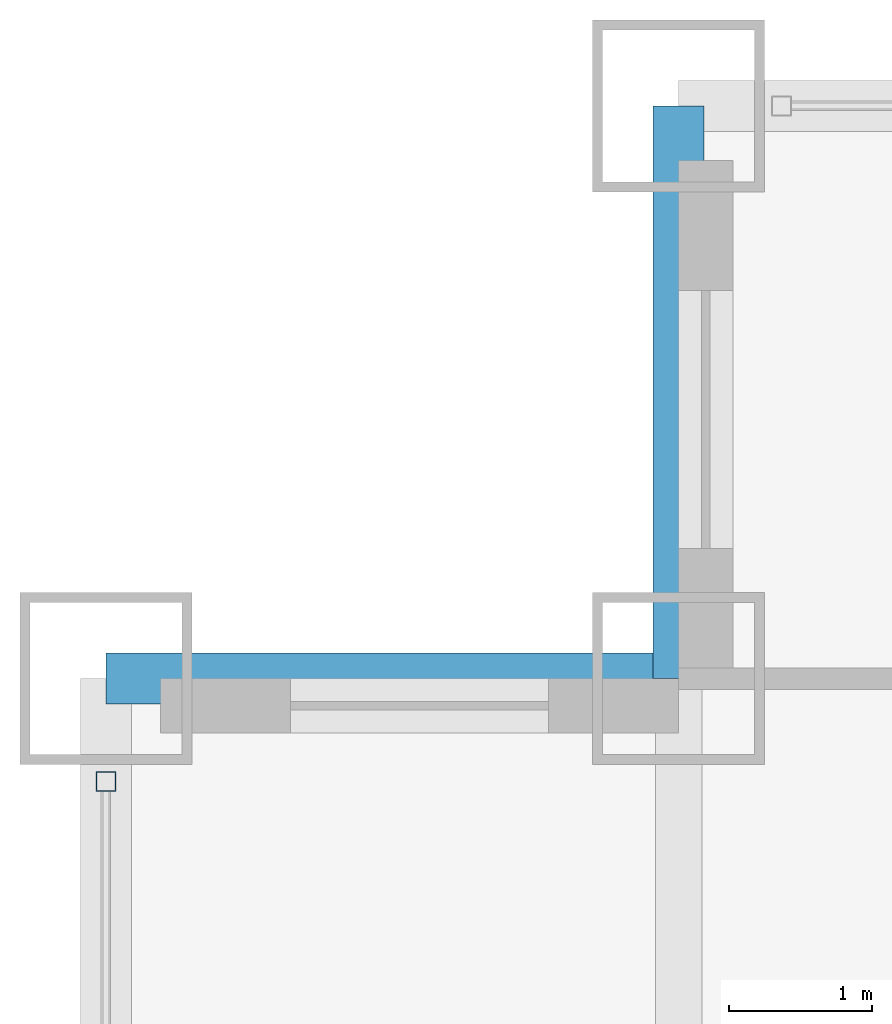
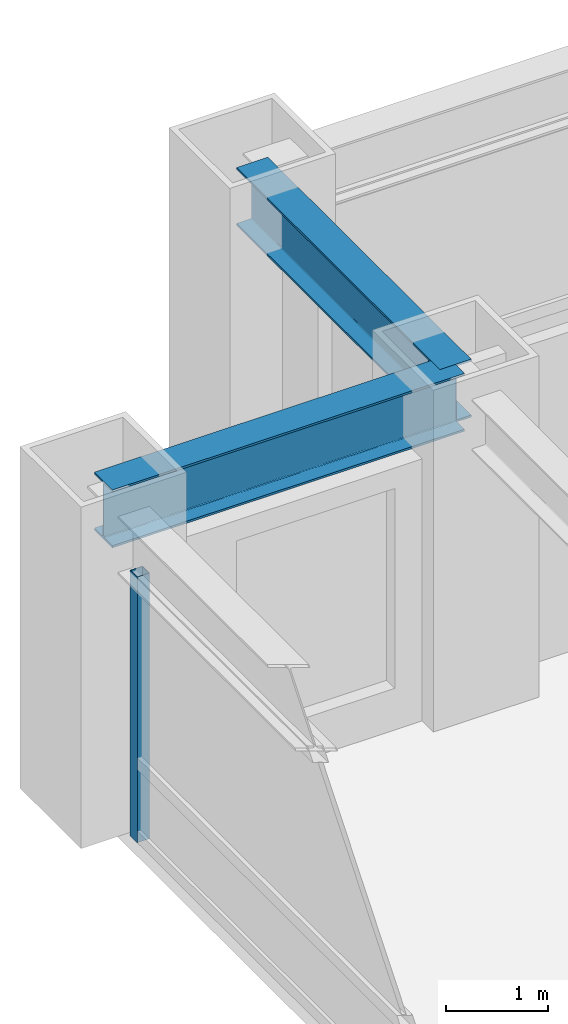
# One storey, part 10 of 27: 2 beams, 1 member, 1 element without a shape of its own.
"""IFC4 building model written with IfcOpenShell, lengths in metres."""

from ifc_helpers import new_model, si_unit, direction, frame, origin, origin_2d, place, context, subcontext, project, spatial, hollow_rectangle, i_section, extrude, source, transform, mapped, material, material_profile, profile_set, type_object, element, aggregate, save


model = new_model("IFC4")

# Units and contexts
model_context = context("Model", 3, precision=1e-05, world=origin(), true_north=direction((0.0, 1.0)))
body_context = subcontext(model_context, "Body", "Model", "MODEL_VIEW")
ifc_project = project(units=[si_unit("LENGTHUNIT", "METRE"), si_unit("AREAUNIT", "SQUARE_METRE"), si_unit("VOLUMEUNIT", "CUBIC_METRE"), si_unit("PLANEANGLEUNIT", "RADIAN"), si_unit("MASSUNIT", "GRAM", prefix="KILO")], contexts=[model_context])

# Site, building, storey
site_placement = place(None, origin())
site = spatial("IfcSite", under=ifc_project, at=site_placement, CompositionType="ELEMENT")
building_placement = place(site_placement, origin())
building = spatial("IfcBuilding", under=site, at=building_placement, Name="Khorayat Bourse Tower", CompositionType="ELEMENT")
storey_placement = place(building_placement, frame((0.0, 0.0, 140.60009765625)))
storey = spatial("IfcBuildingStorey", under=building, at=storey_placement, Name="L32", CompositionType="ELEMENT", Elevation=140.60009765625)

# Beams
ifc_material_1 = material(Name="Steel ASTM A992 Grade 50", Category="steel")
ifc_material_profile_1 = material_profile(ifc_material_1, i_section(OverallWidth=0.35498046875, OverallDepth=0.695068359375, WebThickness=0.015380859375, FlangeThickness=0.02490234375, FilletRadius=0.01806640625, at=origin_2d()), Name="W690X217")
ifc_profile_set_1 = profile_set([ifc_material_profile_1], Name="Steel ASTM A992 Grade 50")
beam_type = type_object("IfcBeamType", Name="BM-SPAN-690", PredefinedType="SPANDREL", material=ifc_profile_set_1)
shared_shape_1 = source(origin(), body_context, "Body", "SweptSolid", [
    extrude(i_section(OverallWidth=0.35498046875, OverallDepth=0.695068359375, WebThickness=0.015380859375, FlangeThickness=0.02490234375, FilletRadius=0.01806640625, at=origin_2d()), origin(), (0.0, 0.0, 1.0), 4.0),
])
for number, where, z_axis, x_axis, name in (
    (1, (-28.0, 28.0, 3.492431640625), (0.0, 1.0, 0.0), (-1.0, 0.0, 0.0), "L32 BM-SPAN-690 BM-L32-SPN-052"),
    (2, (-32.0, 28.0, 3.492431640625), (1.0, 0.0, 0.0), (0.0, 1.0, 0.0), "L32 BM-SPAN-690 BM-L32-SPN-053"),
):
    element("IfcBeam", number, at=place(storey_placement, frame(where, z_axis=z_axis, x_axis=x_axis)), inside=storey, type_object=beam_type, Name=name, PredefinedType="SPANDREL", context=body_context, shape_type="MappedRepresentation", body=[
        mapped(shared_shape_1, transform((0.0, 0.0, 0.0), scale=1.0)),
    ])

# Curtain wall, member
ifc_material_2 = material(Name="Aluminium EN AW-6063 T6", Category="aluminium")
curtain_wall_type = type_object("IfcCurtainWallType", Name="CW-SYS-02", PredefinedType="NOTDEFINED", material=ifc_material_2)
curtain_wall_placement = place(storey_placement, origin())
curtain_wall = element("IfcCurtainWall", 3, at=curtain_wall_placement, inside=storey, type_object=curtain_wall_type, Name="L32 Curtain Wall CW-L32-W1", PredefinedType="NOTDEFINED")
ifc_material_profile_2 = material_profile(ifc_material_2, hollow_rectangle(XDim=0.139892578125, YDim=0.139892578125, WallThickness=0.006103515625, at=origin_2d()), Name="ALU 140x140x6")
ifc_profile_set_2 = profile_set([ifc_material_profile_2], Name="Aluminium EN AW-6063 T6")
member_type = type_object("IfcMemberType", Name="CWM-VERT-140", PredefinedType="MULLION", material=ifc_profile_set_2)
shared_shape_2 = source(origin(), body_context, "Body", "SweptSolid", [
    extrude(hollow_rectangle(XDim=0.139892578125, YDim=0.139892578125, WallThickness=0.006103515625, at=origin_2d()), origin(), (0.0, 0.0, 1.0), 3.18994140625),
])
member_placement = place(storey_placement, frame((-32.0, 27.280029296875, 0.0), z_axis=(0.0, 0.0, 1.0), x_axis=(-1.0, 0.0, 0.0)))
member = element("IfcMember", 4, at=member_placement, type_object=member_type, Name="CW-L32-W1 Vertical Mullion 3", PredefinedType="MULLION", context=body_context, shape_type="MappedRepresentation", body=[
    mapped(shared_shape_2, transform((0.0, 0.0, 0.0), scale=1.0)),
])
aggregate(curtain_wall, [member])

save(model, "model.ifc")
